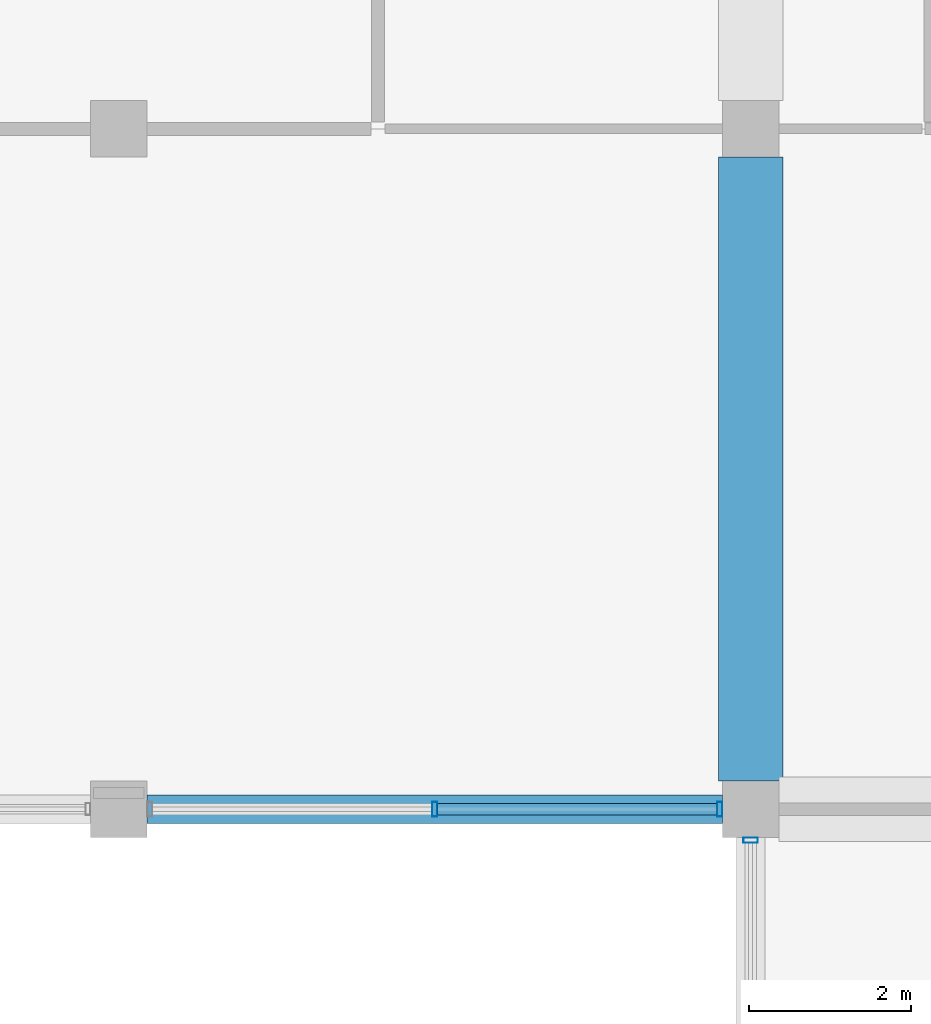
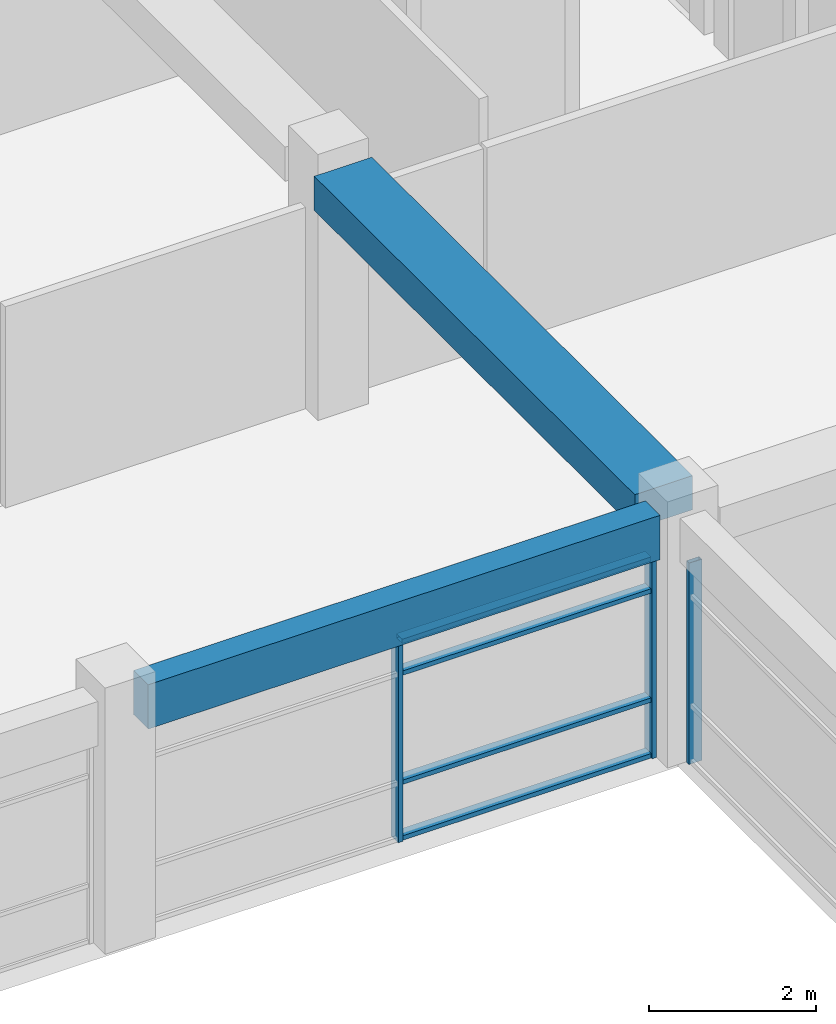
# One storey, part 31 of 72: 7 members, 2 beams, 2 elements without a shape of their own.
"""IFC4 building model written with IfcOpenShell, lengths in metres."""

from ifc_helpers import new_model, si_unit, direction, frame, origin, origin_2d, place, context, subcontext, project, spatial, rectangle, hollow_rectangle, extrude, material, material_profile, profile_set, type_object, element, aggregate, save


model = new_model("IFC4")

# Units and contexts
model_context = context("Model", 3, precision=1e-05, world=origin(), true_north=direction((0.0, 1.0)))
body_context = subcontext(model_context, "Body", "Model", "MODEL_VIEW")
ifc_project = project(units=[si_unit("LENGTHUNIT", "METRE"), si_unit("AREAUNIT", "SQUARE_METRE"), si_unit("VOLUMEUNIT", "CUBIC_METRE"), si_unit("PLANEANGLEUNIT", "RADIAN"), si_unit("MASSUNIT", "GRAM", prefix="KILO"), si_unit("THERMODYNAMICTEMPERATUREUNIT", "KELVIN"), si_unit("POWERUNIT", "WATT")], contexts=[model_context])

# Site, building, storey
site_placement = place(None, origin())
site = spatial("IfcSite", under=ifc_project, at=site_placement, CompositionType="ELEMENT")
building_placement = place(site_placement, origin())
building = spatial("IfcBuilding", under=site, at=building_placement, Name="Srebrne Nadtorze General Hospital", CompositionType="ELEMENT")
storey_placement = place(building_placement, frame((0.0, 0.0, 22.199951171875)))
storey = spatial("IfcBuildingStorey", under=building, at=storey_placement, Name="L05", CompositionType="ELEMENT", Elevation=22.199951171875)

# Curtain wall, members
ifc_material_1 = material(Name="Anodised Aluminium", Category="aluminium")
curtain_wall_type_1 = type_object("IfcCurtainWallType", Name="Unitised curtain wall 7100x2950", PredefinedType="NOTDEFINED", material=ifc_material_1)
curtain_wall_1_placement = place(storey_placement, origin())
curtain_wall_1 = element("IfcCurtainWall", 1, at=curtain_wall_1_placement, inside=storey, type_object=curtain_wall_type_1, Name="Curtain wall CW-117", PredefinedType="NOTDEFINED")
ifc_material_2 = material(Name="Anodised Aluminium", Category="aluminium")
ifc_material_profile_1 = material_profile(ifc_material_2, hollow_rectangle(XDim=0.06494140625, YDim=0.179931640625, WallThickness=0.00390625, at=origin_2d()), Name="AL-MUL-65x180")
ifc_profile_set_1 = profile_set([ifc_material_profile_1], Name="Anodised Aluminium")
member_type_1 = type_object("IfcMemberType", Name="Curtain mullion 65x180", PredefinedType="MULLION", material=ifc_profile_set_1)
member_1_placement = place(storey_placement, frame((128.699951171875, 25.199951171875, 0.0), z_axis=(0.0, 0.0, 1.0), x_axis=(1.0, 0.0, 0.0)))
member_1 = element("IfcMember", 2, at=member_1_placement, type_object=member_type_1, Name="CW-117 mullion 2", PredefinedType="MULLION", context=body_context, shape_type="SweptSolid", body=[
    extrude(hollow_rectangle(XDim=0.06494140625, YDim=0.179931640625, WallThickness=0.00390625, at=origin_2d()), origin(), (0.0, 0.0, 1.0), 2.949951171875),
])
member_2_placement = place(storey_placement, frame((132.217529296875, 25.199951171875, 0.0), z_axis=(0.0, 0.0, 1.0), x_axis=(1.0, 0.0, 0.0)))
member_2 = element("IfcMember", 3, at=member_2_placement, type_object=member_type_1, Name="CW-117 mullion 3", PredefinedType="MULLION", context=body_context, shape_type="SweptSolid", body=[
    extrude(hollow_rectangle(XDim=0.06494140625, YDim=0.179931640625, WallThickness=0.00390625, at=origin_2d()), origin(), (0.0, 0.0, 1.0), 2.949951171875),
])

# Curtain wall, member
ifc_material_3 = material(Name="Anodised Aluminium", Category="aluminium")
curtain_wall_type_2 = type_object("IfcCurtainWallType", Name="Unitised curtain wall 7700x2950", PredefinedType="NOTDEFINED", material=ifc_material_3)
curtain_wall_2_placement = place(storey_placement, origin())
curtain_wall_2 = element("IfcCurtainWall", 4, at=curtain_wall_2_placement, inside=storey, type_object=curtain_wall_type_2, Name="Curtain wall CW-137", PredefinedType="NOTDEFINED")
member_3_placement = place(storey_placement, frame((132.60009765625, 24.8173828125, 0.0), z_axis=(0.0, 0.0, 1.0), x_axis=(0.0, 1.0, 0.0)))
member_3 = element("IfcMember", 5, at=member_3_placement, type_object=member_type_1, Name="CW-137 mullion 3", PredefinedType="MULLION", context=body_context, shape_type="SweptSolid", body=[
    extrude(hollow_rectangle(XDim=0.06494140625, YDim=0.179931640625, WallThickness=0.00390625, at=origin_2d()), origin(), (0.0, 0.0, 1.0), 2.949951171875),
])
aggregate(curtain_wall_2, [member_3])

# Member
ifc_material_4 = material(Name="Anodised Aluminium", Category="aluminium")
ifc_material_profile_2 = material_profile(ifc_material_4, hollow_rectangle(XDim=0.06494140625, YDim=0.139892578125, WallThickness=0.00390625, at=origin_2d()), Name="AL-TRN-65x140")
ifc_profile_set_2 = profile_set([ifc_material_profile_2], Name="Anodised Aluminium")
member_type_2 = type_object("IfcMemberType", Name="Curtain transom 65x140", PredefinedType="USERDEFINED", material=ifc_profile_set_2)
member_4_placement = place(storey_placement, frame((128.732421875, 25.199951171875, 0.032470703125), z_axis=(1.0, 0.0, 0.0), x_axis=(0.0, 0.0, 1.0)))
member_4 = element("IfcMember", 6, at=member_4_placement, type_object=member_type_2, Name="CW-117 transom 2.1", ObjectType="TRANSOM", PredefinedType="USERDEFINED", context=body_context, shape_type="SweptSolid", body=[
    extrude(hollow_rectangle(XDim=0.06494140625, YDim=0.139892578125, WallThickness=0.00390625, at=origin_2d()), origin(), (0.0, 0.0, 1.0), 3.45263671875),
])

member_5_placement = place(storey_placement, frame((128.732421875, 25.199951171875, 0.85009765625), z_axis=(1.0, 0.0, 0.0), x_axis=(0.0, 0.0, 1.0)))
member_5 = element("IfcMember", 7, at=member_5_placement, type_object=member_type_2, Name="CW-117 transom 2.2", ObjectType="TRANSOM", PredefinedType="USERDEFINED", context=body_context, shape_type="SweptSolid", body=[
    extrude(hollow_rectangle(XDim=0.06494140625, YDim=0.139892578125, WallThickness=0.00390625, at=origin_2d()), origin(), (0.0, 0.0, 1.0), 3.45263671875),
])

member_6_placement = place(storey_placement, frame((128.732421875, 25.199951171875, 2.449951171875), z_axis=(1.0, 0.0, 0.0), x_axis=(0.0, 0.0, 1.0)))
member_6 = element("IfcMember", 8, at=member_6_placement, type_object=member_type_2, Name="CW-117 transom 2.3", ObjectType="TRANSOM", PredefinedType="USERDEFINED", context=body_context, shape_type="SweptSolid", body=[
    extrude(hollow_rectangle(XDim=0.06494140625, YDim=0.139892578125, WallThickness=0.00390625, at=origin_2d()), origin(), (0.0, 0.0, 1.0), 3.45263671875),
])

member_7_placement = place(storey_placement, frame((128.732421875, 25.199951171875, 2.91748046875), z_axis=(1.0, 0.0, 0.0), x_axis=(0.0, 0.0, 1.0)))
member_7 = element("IfcMember", 9, at=member_7_placement, type_object=member_type_2, Name="CW-117 transom 2.4", ObjectType="TRANSOM", PredefinedType="USERDEFINED", context=body_context, shape_type="SweptSolid", body=[
    extrude(hollow_rectangle(XDim=0.06494140625, YDim=0.139892578125, WallThickness=0.00390625, at=origin_2d()), origin(), (0.0, 0.0, 1.0), 3.45263671875),
])

aggregate(curtain_wall_1, [member_1, member_2, member_4, member_5, member_6, member_7])

# Beams
ifc_material_5 = material(Name="Concrete C35/45", Category="concrete")
ifc_material_profile_3 = material_profile(ifc_material_5, rectangle(XDim=0.35009765625, YDim=0.64990234375, at=origin_2d()), Name="RC-BM-350x650")
ifc_profile_set_3 = profile_set([ifc_material_profile_3], Name="Concrete C35/45")
beam_type_1 = type_object("IfcBeamType", Name="Edge beam RC 350x650", PredefinedType="BEAM", material=ifc_profile_set_3)
beam_1_placement = place(storey_placement, frame((125.14990234375, 25.199951171875, 3.275146484375), z_axis=(1.0, 0.0, 0.0), x_axis=(0.0, 1.0, 0.0)))
element("IfcBeam", 10, at=beam_1_placement, inside=storey, type_object=beam_type_1, Name="Beam BM-L05-X-1015", PredefinedType="BEAM", context=body_context, shape_type="SweptSolid", body=[
    extrude(rectangle(XDim=0.35009765625, YDim=0.64990234375, at=origin_2d()), origin(), (0.0, 0.0, 1.0), 7.10009765625),
])
ifc_material_6 = material(Name="Concrete C40/50", Category="concrete")
ifc_material_profile_4 = material_profile(ifc_material_6, rectangle(XDim=0.800048828125, YDim=0.5, at=origin_2d()), Name="RC-BM-800x500")
ifc_profile_set_4 = profile_set([ifc_material_profile_4], Name="Concrete C40/50")
beam_type_2 = type_object("IfcBeamType", Name="Primary beam RC 800x500", PredefinedType="BEAM", material=ifc_profile_set_4)
beam_2_placement = place(storey_placement, frame((132.60009765625, 25.550048828125, 3.35009765625), z_axis=(0.0, 1.0, 0.0), x_axis=(-1.0, 0.0, 0.0)))
element("IfcBeam", 11, at=beam_2_placement, inside=storey, type_object=beam_type_2, Name="Beam BM-L05-Y-1117", PredefinedType="BEAM", context=body_context, shape_type="SweptSolid", body=[
    extrude(rectangle(XDim=0.800048828125, YDim=0.5, at=origin_2d()), origin(), (0.0, 0.0, 1.0), 7.699951171875),
])

save(model, "model.ifc")
